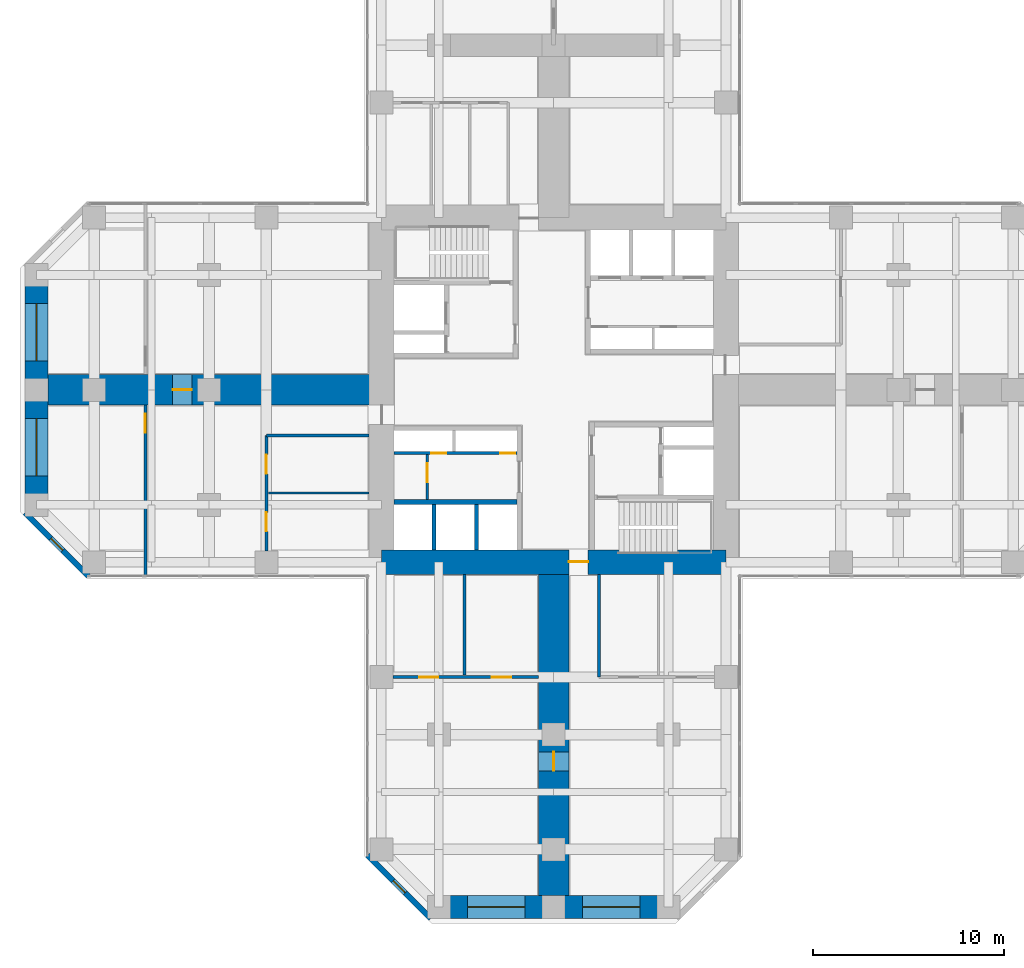
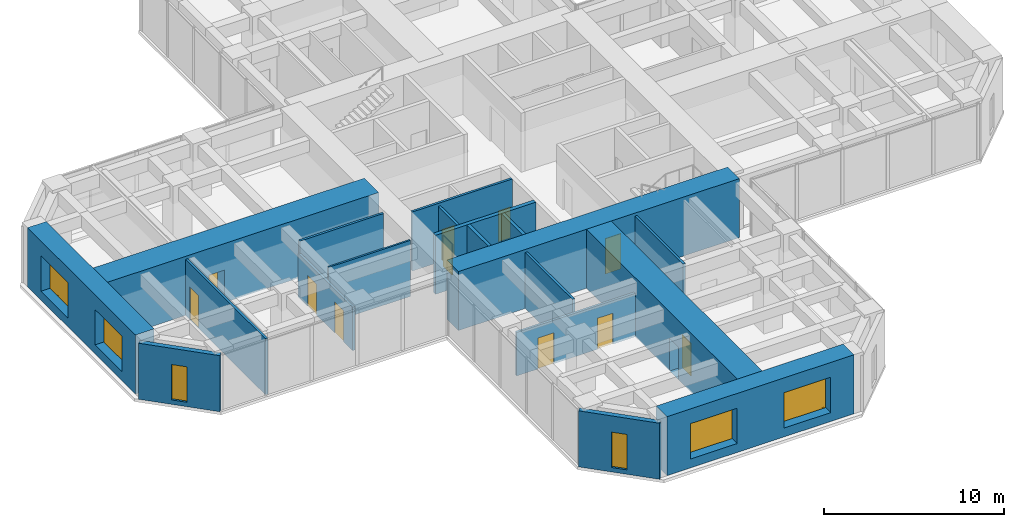
# One storey, part 8 of 12: 19 walls, 11 doors, 6 windows, 17 openings.
"""IFC4 building model written with IfcOpenShell, lengths in metres."""

import ifcopenshell
import ifcopenshell.guid

model = None  # the IFC model being written
_history = None  # IfcOwnerHistory: only IFC2X3 demands one
_inside = {}  # id of a spatial element -> (the spatial element, [elements in it])
_under = {}  # id of a project, library or spatial element -> (it, [spatial elements below it])
_declared = {}  # id of a project -> (the project, [libraries it declares])
_typed = {}  # id of a type object -> (the type object, [elements of that type])
_made_of = {}  # id of a material, layer set ... -> (it, [elements and type objects made of it])


def new_model(schema):
    """Start an empty IFC model of exactly this schema.

    Asked for "IFC4X3", IfcOpenShell would pick the latest addendum, in which some entities
    have other attributes; the version numbers below select the first issue.
    IFC2X3 requires an IfcOwnerHistory on every rooted entity: one is made here for all.
    """
    global model, _history
    if schema == "IFC4X3":
        model = ifcopenshell.file(schema_version=(4, 3, 0, 0))
    else:
        model = ifcopenshell.file(schema=schema)
    _inside.clear()
    _under.clear()
    _declared.clear()
    _typed.clear()
    _made_of.clear()
    _history = None
    if model.schema == "IFC2X3":
        org = make("IfcOrganization", Name="unknown")
        user = make(
            "IfcPersonAndOrganization",
            ThePerson=make("IfcPerson", FamilyName="unknown"),
            TheOrganization=org,
        )
        app = make(
            "IfcApplication",
            ApplicationDeveloper=org,
            Version="unknown",
            ApplicationFullName="unknown",
            ApplicationIdentifier="unknown",
        )
        _history = make(
            "IfcOwnerHistory",
            OwningUser=user,
            OwningApplication=app,
            ChangeAction="ADDED",
            CreationDate=0,
        )
    return model


def make(cls, **values):
    """One entity of the class cls with the attributes given. An attribute that is None is left unset."""
    return model.create_entity(
        cls, **{name: value for name, value in values.items() if value is not None}
    )


def rooted(cls, **values):
    """An entity with a GlobalId (a new one), such as an element, a storey or a relation."""
    return make(cls, GlobalId=ifcopenshell.guid.new(), OwnerHistory=_history, **values)


def si_unit(unit_type, name, prefix=None):
    """IfcSIUnit, for example si_unit("LENGTHUNIT", "METRE", prefix="MILLI")."""
    return make("IfcSIUnit", UnitType=unit_type, Prefix=prefix, Name=name)


def assignment(units):
    """IfcUnitAssignment: the units of a project."""
    return None if units is None else make("IfcUnitAssignment", Units=units)


def point(xyz):
    """IfcCartesianPoint."""
    return None if xyz is None else make("IfcCartesianPoint", Coordinates=xyz)


def direction(xyz):
    """IfcDirection."""
    return None if xyz is None else make("IfcDirection", DirectionRatios=xyz)


def frame(location, z_axis=None, x_axis=None):
    """IfcAxis2Placement3D, a coordinate frame: its origin and axes. An axis left out is left unset."""
    return make(
        "IfcAxis2Placement3D",
        Location=point(location),
        Axis=direction(z_axis),
        RefDirection=direction(x_axis),
    )


def frame_2d(location, x_axis=None):
    """IfcAxis2Placement2D, a coordinate frame in the plane: its origin and x axis."""
    return make(
        "IfcAxis2Placement2D", Location=point(location), RefDirection=direction(x_axis)
    )


def origin():
    """The frame at (0, 0, 0) with its axes left unset."""
    return frame((0.0, 0.0, 0.0))


def place(relative_to, where):
    """IfcLocalPlacement: puts the frame where relative to a parent placement (None: the world)."""
    return make(
        "IfcLocalPlacement", PlacementRelTo=relative_to, RelativePlacement=where
    )


def context(
    kind, dimensions, precision=None, world=None, true_north=None, identifier=None
):
    """IfcGeometricRepresentationContext, for example the 3D "Model" context."""
    return make(
        "IfcGeometricRepresentationContext",
        ContextIdentifier=identifier,
        ContextType=kind,
        CoordinateSpaceDimension=dimensions,
        Precision=precision,
        WorldCoordinateSystem=world,
        TrueNorth=true_north,
    )


def subcontext(parent, identifier, kind, view, scale=None):
    """IfcGeometricRepresentationSubContext, for example "Body" below "Model"."""
    return make(
        "IfcGeometricRepresentationSubContext",
        ContextIdentifier=identifier,
        ContextType=kind,
        ParentContext=parent,
        TargetScale=scale,
        TargetView=view,
    )


def project(units=None, contexts=None):
    """IfcProject with its units and contexts."""
    return rooted(
        "IfcProject",
        Name="project",
        RepresentationContexts=contexts,
        UnitsInContext=assignment(units),
    )


def spatial(cls, under=None, at=None, **own):
    """A site, building, storey or space (cls), placed at a placement, below another one or the project."""
    s = rooted(cls, ObjectPlacement=at, **own)
    if under is not None:
        _under.setdefault(under.id(), (under, []))[1].append(s)
    return s


def profile(cls, at=None, kind="AREA", **sizes):
    """A parametric profile (cls). Its sizes go by their IFC names, for example OverallWidth=200.0."""
    return make(cls, ProfileType=kind, Position=at, **sizes)


def rectangle(**sizes):
    """IfcRectangleProfileDef."""
    return profile("IfcRectangleProfileDef", **sizes)


def hollow_rectangle(**sizes):
    """IfcRectangleHollowProfileDef."""
    return profile("IfcRectangleHollowProfileDef", **sizes)


def extrude(swept, where, along, depth):
    """IfcExtrudedAreaSolid: the profile swept, set in the frame where, extruded along a direction by depth."""
    return make(
        "IfcExtrudedAreaSolid",
        SweptArea=swept,
        Position=where,
        ExtrudedDirection=direction(along),
        Depth=depth,
    )


def shape(context_of_items, identifier, shape_type, items):
    """IfcShapeRepresentation: the items that make up one representation, for example the "Body"."""
    return make(
        "IfcShapeRepresentation",
        ContextOfItems=context_of_items,
        RepresentationIdentifier=identifier,
        RepresentationType=shape_type,
        Items=items,
    )


def material(Name=None, Category=None):
    """IfcMaterial."""
    return make("IfcMaterial", Name=Name, Category=Category)


def layer(
    of_material, thickness, ventilated=None, Name=None, Category=None, Priority=None
):
    """IfcMaterialLayer: one layer of a wall or slab, of a material (None: an air gap)."""
    return make(
        "IfcMaterialLayer",
        Material=of_material,
        LayerThickness=thickness,
        IsVentilated=ventilated,
        Name=Name,
        Category=Category,
        Priority=Priority,
    )


def layer_set(layers, Name=None):
    """IfcMaterialLayerSet."""
    return make("IfcMaterialLayerSet", MaterialLayers=layers, LayerSetName=Name)


def constituent(of_material, Name=None, Category=None, fraction=None):
    """IfcMaterialConstituent: one of the materials an element consists of."""
    return make(
        "IfcMaterialConstituent",
        Name=Name,
        Material=of_material,
        Fraction=fraction,
        Category=Category,
    )


def constituent_set(constituents=None, Name=None):
    """IfcMaterialConstituentSet."""
    return make(
        "IfcMaterialConstituentSet", Name=Name, MaterialConstituents=constituents
    )


def made_of(thing, what):
    """Note that an element or type object is made of a material, layer set ...; save() writes the relation."""
    if what is not None:
        _made_of.setdefault(what.id(), (what, []))[1].append(thing)
    return thing


def type_object(cls, material=None, **own):
    """A type object (cls), such as IfcWallType, which elements share."""
    return made_of(rooted(cls, **own), material)


def element(
    cls,
    number,
    at=None,
    inside=None,
    cuts=None,
    type_object=None,
    material=None,
    context=None,
    identifier="Body",
    shape_type=None,
    held_by="IfcProductDefinitionShape",
    body=None,
    shapes=None,
    **own,
):
    """One element of the class cls, such as IfcWall. Its Tag is "e" and its number.

    at: its placement. inside: the storey or other place that contains it. cuts: it is an
    opening in that element (IfcRelVoidsElement). A single representation is given by context,
    identifier, shape_type and body (its items); several are given by shapes. held_by: the class
    of the entity that holds the representations. save() writes the other relations.
    """
    e = rooted(cls, Tag="e%d" % number, ObjectPlacement=at, **own)
    if body is not None:
        shapes = [shape(context, identifier, shape_type, body)]
    if shapes is not None:
        e.Representation = make(held_by, Representations=shapes)
    if inside is not None:
        _inside.setdefault(inside.id(), (inside, []))[1].append(e)
    if cuts is not None:
        rooted(
            "IfcRelVoidsElement", RelatingBuildingElement=cuts, RelatedOpeningElement=e
        )
    if type_object is not None:
        _typed.setdefault(type_object.id(), (type_object, []))[1].append(e)
    return made_of(e, material)


def fill(opening, filler):
    """IfcRelFillsElement: the door or window that sits in an opening."""
    return rooted(
        "IfcRelFillsElement",
        RelatingOpeningElement=opening,
        RelatedBuildingElement=filler,
    )


def aggregate(whole, parts):
    """IfcRelAggregates: a whole, such as a stair, and the parts it consists of."""
    return rooted("IfcRelAggregates", RelatingObject=whole, RelatedObjects=parts)


def save(model, path):
    """Write the relations noted so far, then the file.

    IfcRelAggregates (storeys below a building ...), IfcRelContainedInSpatialStructure (elements
    in a storey), IfcRelDefinesByType, IfcRelAssociatesMaterial and IfcRelDeclares: one each for
    every whole, place, type object, material and project.
    """
    for whole, parts in _under.values():
        aggregate(whole, parts)
    for where, things in _inside.values():
        rooted(
            "IfcRelContainedInSpatialStructure",
            RelatedElements=things,
            RelatingStructure=where,
        )
    for kind, things in _typed.values():
        rooted("IfcRelDefinesByType", RelatedObjects=things, RelatingType=kind)
    for what, things in _made_of.values():
        rooted("IfcRelAssociatesMaterial", RelatedObjects=things, RelatingMaterial=what)
    for by, libraries in _declared.values():
        rooted("IfcRelDeclares", RelatingContext=by, RelatedDefinitions=libraries)
    model.write(path)


model = new_model("IFC4")

# Units and contexts
model_context = context("Model", 3, precision=1e-05, world=origin(), true_north=direction((0.0, 1.0)))
body_context = subcontext(model_context, "Body", "Model", "MODEL_VIEW")
ifc_project = project(units=[si_unit("LENGTHUNIT", "METRE"), si_unit("AREAUNIT", "SQUARE_METRE"), si_unit("VOLUMEUNIT", "CUBIC_METRE"), si_unit("PLANEANGLEUNIT", "RADIAN"), si_unit("MASSUNIT", "GRAM", prefix="KILO")], contexts=[model_context])

# Site, building, storey
site_placement = place(None, origin())
site = spatial("IfcSite", under=ifc_project, at=site_placement, CompositionType="ELEMENT")
building_placement = place(site_placement, origin())
building = spatial("IfcBuilding", under=site, at=building_placement, Name="Torre Cruceta", CompositionType="ELEMENT")
storey_placement = place(building_placement, frame((0.0, 0.0, 35.5)))
storey = spatial("IfcBuildingStorey", under=building, at=storey_placement, Name="L08", CompositionType="ELEMENT", Elevation=35.5)

# Wall
ifc_material_1 = material(Name="Concrete G60 (fck 60 MPa)", Category="concrete")
ifc_layer_1 = layer(ifc_material_1, 0.25)
ifc_layer_set_1 = layer_set([ifc_layer_1], Name="Concrete G60 (fck 60 MPa)")
wall_type_1 = type_object("IfcWallType", Name="CORE INNER WALL 250 G60", PredefinedType="SHEAR", material=ifc_layer_set_1)
wall_1_placement = place(storey_placement, frame((-1.925048828125, -5.85009765625, 0.0), z_axis=(0.0, 0.0, 1.0), x_axis=(-1.0, 0.0, 0.0)))
element("IfcWall", 1, at=wall_1_placement, inside=storey, type_object=wall_type_1, Name="CW4 L08 SW-LV", PredefinedType="SHEAR", context=body_context, shape_type="SweptSolid", body=[
    extrude(rectangle(XDim=6.425048828125, YDim=0.25, at=frame_2d((3.21240234375, 0.0))), origin(), (0.0, 0.0, 1.0), 4.0),
])

# Wall, opening, door
ifc_material_2 = material(Name="Concrete G60 (fck 60 MPa)", Category="concrete")
ifc_layer_2 = layer(ifc_material_2, 1.300048828125)
ifc_layer_set_2 = layer_set([ifc_layer_2], Name="Concrete G60 (fck 60 MPa)")
wall_type_2 = type_object("IfcWallType", Name="CORE WALL 1300 G60", PredefinedType="SHEAR", material=ifc_layer_set_2)
wall_2_placement = place(storey_placement, frame((-9.0, -9.0, 0.0), z_axis=(0.0, 0.0, 1.0), x_axis=(1.0, 0.0, 0.0)))
wall_2 = element("IfcWall", 2, at=wall_2_placement, inside=storey, type_object=wall_type_2, Name="CW1 L08 CW-S", PredefinedType="SHEAR", context=body_context, shape_type="SweptSolid", body=[
    extrude(rectangle(XDim=18.0, YDim=1.300048828125, at=frame_2d((9.0, 0.0))), origin(), (0.0, 0.0, 1.0), 4.0),
])
opening_1_placement = place(wall_2_placement, frame((9.800048828125, 0.0, 0.0)))
opening_1 = element("IfcOpeningElement", 3, at=opening_1_placement, cuts=wall_2, Name="Opening D4", PredefinedType="OPENING", context=body_context, shape_type="SweptSolid", body=[
    extrude(rectangle(XDim=1.0, YDim=2.39990234375, at=frame_2d((0.5, 1.199951171875))), frame((0.0, 0.659912109375, 0.0), z_axis=(0.0, -1.0, 0.0), x_axis=(1.0, 0.0, 0.0)), (0.0, 0.0, 1.0), 1.320068359375),
])
ifc_material_3 = material(Name="Steel DX51D", Category="steel")
ifc_constituent_1 = constituent(ifc_material_3, Name="Leaf and frame")
ifc_material_4 = material(Name="Polyester powder coating", Category="paint")
ifc_constituent_2 = constituent(ifc_material_4, Name="Finish")
ifc_constituent_set_1 = constituent_set(constituents=[ifc_constituent_1, ifc_constituent_2], Name="Steel fire door")
door_type_1 = type_object("IfcDoorType", Name="CORE ARM DOOR 1000X2400", OperationType="SINGLE_SWING_RIGHT", PredefinedType="DOOR", material=ifc_constituent_set_1)
door_1_placement = place(opening_1_placement, frame((1.0, 0.0, 0.0), z_axis=(0.0, 0.0, 1.0), x_axis=(-1.0, 0.0, 0.0)))
door_1 = element("IfcDoor", 4, at=door_1_placement, inside=storey, type_object=door_type_1, Name="D4 L08 CW-S", OperationType="SINGLE_SWING_RIGHT", OverallHeight=2.39990234375, OverallWidth=1.0, PredefinedType="DOOR", context=body_context, shape_type="SweptSolid", body=[
    extrude(rectangle(XDim=1.0, YDim=2.39990234375, at=frame_2d((0.5, 1.199951171875))), frame((0.0, -0.005126953125, 0.0), z_axis=(0.0, -1.0, 0.0), x_axis=(1.0, 0.0, 0.0)), (0.0, 0.0, 1.0), 0.050048828125),
])
fill(opening_1, door_1)

# Wall, opening, window
ifc_material_5 = material(Name="Concrete G30 (fck 30 MPa)", Category="concrete")
ifc_layer_3 = layer(ifc_material_5, 0.300048828125)
ifc_layer_set_3 = layer_set([ifc_layer_3], Name="Concrete G30 (fck 30 MPa)")
wall_type_3 = type_object("IfcWallType", Name="EXPOSED CONCRETE FACADE WALL 300", PredefinedType="SOLIDWALL", material=ifc_layer_set_3)
wall_3_placement = place(storey_placement, frame((-27.60009765625, -6.418212890625, 0.0), z_axis=(0.0, 0.0, 1.0), x_axis=(0.707106781187, -0.707106781187, 0.0)))
wall_3 = element("IfcWall", 5, at=wall_3_placement, inside=storey, type_object=wall_type_3, Name="EW1 facade wall L08 W chamfer 13", PredefinedType="SOLIDWALL", context=body_context, shape_type="SweptSolid", body=[
    extrude(rectangle(XDim=4.66943359375, YDim=0.300048828125, at=frame_2d((2.334716796875, 0.0))), origin(), (0.0, 0.0, 1.0), 3.800048828125),
])
opening_2_placement = place(wall_3_placement, frame((1.884765625, 0.0, 0.300048828125)))
opening_2 = element("IfcOpeningElement", 6, at=opening_2_placement, cuts=wall_3, Name="Opening WN5", PredefinedType="OPENING", context=body_context, shape_type="SweptSolid", body=[
    extrude(rectangle(XDim=0.89990234375, YDim=2.39990234375, at=frame_2d((0.449951171875, 1.199951171875))), frame((0.0, 0.159912109375, 0.0), z_axis=(0.0, -1.0, 0.0), x_axis=(1.0, 0.0, 0.0)), (0.0, 0.0, 1.0), 0.320068359375),
])
ifc_material_6 = material(Name="Aluminium window frame", Category="aluminium")
ifc_constituent_3 = constituent(ifc_material_6, Name="Frame")
ifc_material_7 = material(Name="Laminated insulating glass unit, low-iron clear", Category="glass")
ifc_constituent_4 = constituent(ifc_material_7, Name="Glazing")
ifc_constituent_set_2 = constituent_set(constituents=[ifc_constituent_3, ifc_constituent_4], Name="Aluminium window")
window_type_1 = type_object("IfcWindowType", Name="CHAMFER SLOT WINDOW 900X2400", PartitioningType="SINGLE_PANEL", PredefinedType="WINDOW", material=ifc_constituent_set_2)
window_1_placement = place(opening_2_placement, origin())
window_1 = element("IfcWindow", 7, at=window_1_placement, inside=storey, type_object=window_type_1, Name="WN5 L08 W 1", OverallHeight=2.39990234375, OverallWidth=0.89990234375, PartitioningType="SINGLE_PANEL", PredefinedType="WINDOW", context=body_context, shape_type="SweptSolid", body=[
    extrude(hollow_rectangle(XDim=0.89990234375, YDim=2.39990234375, WallThickness=0.06005859375, at=frame_2d((0.449951171875, 1.199951171875))), frame((0.0, 0.030029296875, 0.0), z_axis=(0.0, -1.0, 0.0), x_axis=(1.0, 0.0, 0.0)), (0.0, 0.0, 1.0), 0.06005859375),
    extrude(rectangle(XDim=0.77880859375, YDim=2.27880859375, at=frame_2d((0.449951171875, 1.199951171875))), frame((0.0, 0.030029296875, 0.0), z_axis=(0.0, -1.0, 0.0), x_axis=(1.0, 0.0, 0.0)), (0.0, 0.0, 1.0), 0.06005859375),
])
fill(opening_2, window_1)

wall_4_placement = place(storey_placement, frame((-9.719970703125, -24.29833984375, 0.0), z_axis=(0.0, 0.0, 1.0), x_axis=(0.707106781187, -0.707106781187, 0.0)))
wall_4 = element("IfcWall", 8, at=wall_4_placement, inside=storey, type_object=wall_type_3, Name="EW1 facade wall L08 S chamfer 16", PredefinedType="SOLIDWALL", context=body_context, shape_type="SweptSolid", body=[
    extrude(rectangle(XDim=4.66943359375, YDim=0.300048828125, at=frame_2d((2.334716796875, 0.0))), origin(), (0.0, 0.0, 1.0), 3.800048828125),
])
opening_3_placement = place(wall_4_placement, frame((1.884765625, 0.0, 0.300048828125)))
opening_3 = element("IfcOpeningElement", 9, at=opening_3_placement, cuts=wall_4, Name="Opening WN5", PredefinedType="OPENING", context=body_context, shape_type="SweptSolid", body=[
    extrude(rectangle(XDim=0.89990234375, YDim=2.39990234375, at=frame_2d((0.449951171875, 1.199951171875))), frame((0.0, 0.159912109375, 0.0), z_axis=(0.0, -1.0, 0.0), x_axis=(1.0, 0.0, 0.0)), (0.0, 0.0, 1.0), 0.320068359375),
])
window_2_placement = place(opening_3_placement, origin())
window_2 = element("IfcWindow", 10, at=window_2_placement, inside=storey, type_object=window_type_1, Name="WN5 L08 S 1", OverallHeight=2.39990234375, OverallWidth=0.89990234375, PartitioningType="SINGLE_PANEL", PredefinedType="WINDOW", context=body_context, shape_type="SweptSolid", body=[
    extrude(hollow_rectangle(XDim=0.89990234375, YDim=2.39990234375, WallThickness=0.06005859375, at=frame_2d((0.449951171875, 1.199951171875))), frame((0.0, 0.030029296875, 0.0), z_axis=(0.0, -1.0, 0.0), x_axis=(1.0, 0.0, 0.0)), (0.0, 0.0, 1.0), 0.06005859375),
    extrude(rectangle(XDim=0.77880859375, YDim=2.27880859375, at=frame_2d((0.449951171875, 1.199951171875))), frame((0.0, 0.030029296875, 0.0), z_axis=(0.0, -1.0, 0.0), x_axis=(1.0, 0.0, 0.0)), (0.0, 0.0, 1.0), 0.06005859375),
])
fill(opening_3, window_2)

# Walls
ifc_material_8 = material(Name="Concrete G35 (fck 35 MPa)", Category="concrete")
ifc_layer_4 = layer(ifc_material_8, 0.199951171875)
ifc_layer_set_4 = layer_set([ifc_layer_4], Name="Concrete G35 (fck 35 MPa)")
wall_type_4 = type_object("IfcWallType", Name="LIFT SHAFT WALL 200", PredefinedType="PARTITIONING", material=ifc_layer_set_4)
for number, where, z_axis, x_axis, name in (
    (11, (-4.033447265625, -5.97509765625, 0.0), (0.0, 0.0, 1.0), (0.0, -1.0, 0.0), "SW1 L08 SW-LS1"),
    (12, (-6.24169921875, -5.97509765625, 0.0), (0.0, 0.0, 1.0), (0.0, -1.0, 0.0), "SW1 L08 SW-LS2"),
):
    element("IfcWall", number, at=place(storey_placement, frame(where, z_axis=z_axis, x_axis=x_axis)), inside=storey, type_object=wall_type_4, Name=name, PredefinedType="PARTITIONING", context=body_context, shape_type="SweptSolid", body=[
        extrude(rectangle(XDim=2.375, YDim=0.199951171875, at=frame_2d((1.1875, 0.0))), origin(), (0.0, 0.0, 1.0), 4.0),
    ])

# Wall, openings, windows
ifc_material_9 = material(Name="Concrete G60 (fck 60 MPa)", Category="concrete")
ifc_layer_5 = layer(ifc_material_9, 1.199951171875)
ifc_layer_set_5 = layer_set([ifc_layer_5], Name="Concrete G60 (fck 60 MPa)")
wall_type_5 = type_object("IfcWallType", Name="NOSE WALL 1200 G60", PredefinedType="SHEAR", material=ifc_layer_set_5)
wall_5_placement = place(storey_placement, frame((-6.0, -27.0, 0.0), z_axis=(0.0, 0.0, 1.0), x_axis=(1.0, 0.0, 0.0)))
wall_5 = element("IfcWall", 13, at=wall_5_placement, inside=storey, type_object=wall_type_5, Name="NW1 nose wall L08 S", PredefinedType="SHEAR", context=body_context, shape_type="SweptSolid", body=[
    extrude(rectangle(XDim=12.0, YDim=1.199951171875, at=frame_2d((6.0, 0.0))), origin(), (0.0, 0.0, 1.0), 4.0),
])
opening_4_placement = place(wall_5_placement, frame((1.5, 0.0, 0.60009765625)))
opening_4 = element("IfcOpeningElement", 14, at=opening_4_placement, cuts=wall_5, Name="Opening WN6", PredefinedType="OPENING", context=body_context, shape_type="SweptSolid", body=[
    extrude(rectangle(XDim=3.0, YDim=2.39990234375, at=frame_2d((1.5, 1.199951171875))), frame((0.0, 0.60986328125, 0.0), z_axis=(0.0, -1.0, 0.0), x_axis=(1.0, 0.0, 0.0)), (0.0, 0.0, 1.0), 1.219970703125),
])
opening_5_placement = place(wall_5_placement, frame((7.5, 0.0, 0.60009765625)))
opening_5 = element("IfcOpeningElement", 15, at=opening_5_placement, cuts=wall_5, Name="Opening WN6", PredefinedType="OPENING", context=body_context, shape_type="SweptSolid", body=[
    extrude(rectangle(XDim=3.0, YDim=2.39990234375, at=frame_2d((1.5, 1.199951171875))), frame((0.0, 0.60986328125, 0.0), z_axis=(0.0, -1.0, 0.0), x_axis=(1.0, 0.0, 0.0)), (0.0, 0.0, 1.0), 1.219970703125),
])
ifc_material_10 = material(Name="Aluminium window frame", Category="aluminium")
ifc_constituent_5 = constituent(ifc_material_10, Name="Frame")
ifc_material_11 = material(Name="Laminated insulating glass unit, low-iron clear", Category="glass")
ifc_constituent_6 = constituent(ifc_material_11, Name="Glazing")
ifc_constituent_set_3 = constituent_set(constituents=[ifc_constituent_5, ifc_constituent_6], Name="Aluminium window")
window_type_2 = type_object("IfcWindowType", Name="NOSE WALL WINDOW 3000X2400", PartitioningType="SINGLE_PANEL", PredefinedType="WINDOW", material=ifc_constituent_set_3)
window_3_placement = place(opening_4_placement, origin())
window_3 = element("IfcWindow", 16, at=window_3_placement, inside=storey, type_object=window_type_2, Name="WN6 L08 S 1", OverallHeight=2.39990234375, OverallWidth=3.0, PartitioningType="SINGLE_PANEL", PredefinedType="WINDOW", context=body_context, shape_type="SweptSolid", body=[
    extrude(hollow_rectangle(XDim=3.0, YDim=2.39990234375, WallThickness=0.06005859375, at=frame_2d((1.5, 1.199951171875))), frame((0.0, 0.030029296875, 0.0), z_axis=(0.0, -1.0, 0.0), x_axis=(1.0, 0.0, 0.0)), (0.0, 0.0, 1.0), 0.06005859375),
    extrude(rectangle(XDim=2.87890625, YDim=2.27880859375, at=frame_2d((1.5, 1.199951171875))), frame((0.0, 0.030029296875, 0.0), z_axis=(0.0, -1.0, 0.0), x_axis=(1.0, 0.0, 0.0)), (0.0, 0.0, 1.0), 0.06005859375),
])
fill(opening_4, window_3)
window_4_placement = place(opening_5_placement, origin())
window_4 = element("IfcWindow", 17, at=window_4_placement, inside=storey, type_object=window_type_2, Name="WN6 L08 S 2", OverallHeight=2.39990234375, OverallWidth=3.0, PartitioningType="SINGLE_PANEL", PredefinedType="WINDOW", context=body_context, shape_type="SweptSolid", body=[
    extrude(hollow_rectangle(XDim=3.0, YDim=2.39990234375, WallThickness=0.06005859375, at=frame_2d((1.5, 1.199951171875))), frame((0.0, 0.030029296875, 0.0), z_axis=(0.0, -1.0, 0.0), x_axis=(1.0, 0.0, 0.0)), (0.0, 0.0, 1.0), 0.06005859375),
    extrude(rectangle(XDim=2.87890625, YDim=2.27880859375, at=frame_2d((1.5, 1.199951171875))), frame((0.0, 0.030029296875, 0.0), z_axis=(0.0, -1.0, 0.0), x_axis=(1.0, 0.0, 0.0)), (0.0, 0.0, 1.0), 0.06005859375),
])
fill(opening_5, window_4)

wall_6_placement = place(storey_placement, frame((-27.0, 6.0, 0.0), z_axis=(0.0, 0.0, 1.0), x_axis=(0.0, -1.0, 0.0)))
wall_6 = element("IfcWall", 18, at=wall_6_placement, inside=storey, type_object=wall_type_5, Name="NW1 nose wall L08 W", PredefinedType="SHEAR", context=body_context, shape_type="SweptSolid", body=[
    extrude(rectangle(XDim=12.0, YDim=1.199951171875, at=frame_2d((6.0, 0.0))), origin(), (0.0, 0.0, 1.0), 4.0),
])
opening_6_placement = place(wall_6_placement, frame((1.5, 0.0, 0.60009765625)))
opening_6 = element("IfcOpeningElement", 19, at=opening_6_placement, cuts=wall_6, Name="Opening WN6", PredefinedType="OPENING", context=body_context, shape_type="SweptSolid", body=[
    extrude(rectangle(XDim=3.0, YDim=2.39990234375, at=frame_2d((1.5, 1.199951171875))), frame((0.0, 0.60986328125, 0.0), z_axis=(0.0, -1.0, 0.0), x_axis=(1.0, 0.0, 0.0)), (0.0, 0.0, 1.0), 1.219970703125),
])
opening_7_placement = place(wall_6_placement, frame((7.5, 0.0, 0.60009765625)))
opening_7 = element("IfcOpeningElement", 20, at=opening_7_placement, cuts=wall_6, Name="Opening WN6", PredefinedType="OPENING", context=body_context, shape_type="SweptSolid", body=[
    extrude(rectangle(XDim=3.0, YDim=2.39990234375, at=frame_2d((1.5, 1.199951171875))), frame((0.0, 0.60986328125, 0.0), z_axis=(0.0, -1.0, 0.0), x_axis=(1.0, 0.0, 0.0)), (0.0, 0.0, 1.0), 1.219970703125),
])
window_5_placement = place(opening_6_placement, origin())
window_5 = element("IfcWindow", 21, at=window_5_placement, inside=storey, type_object=window_type_2, Name="WN6 L08 W 1", OverallHeight=2.39990234375, OverallWidth=3.0, PartitioningType="SINGLE_PANEL", PredefinedType="WINDOW", context=body_context, shape_type="SweptSolid", body=[
    extrude(hollow_rectangle(XDim=3.0, YDim=2.39990234375, WallThickness=0.06005859375, at=frame_2d((1.5, 1.199951171875))), frame((0.0, 0.030029296875, 0.0), z_axis=(0.0, -1.0, 0.0), x_axis=(1.0, 0.0, 0.0)), (0.0, 0.0, 1.0), 0.06005859375),
    extrude(rectangle(XDim=2.87890625, YDim=2.27880859375, at=frame_2d((1.5, 1.199951171875))), frame((0.0, 0.030029296875, 0.0), z_axis=(0.0, -1.0, 0.0), x_axis=(1.0, 0.0, 0.0)), (0.0, 0.0, 1.0), 0.06005859375),
])
fill(opening_6, window_5)
window_6_placement = place(opening_7_placement, origin())
window_6 = element("IfcWindow", 22, at=window_6_placement, inside=storey, type_object=window_type_2, Name="WN6 L08 W 2", OverallHeight=2.39990234375, OverallWidth=3.0, PartitioningType="SINGLE_PANEL", PredefinedType="WINDOW", context=body_context, shape_type="SweptSolid", body=[
    extrude(hollow_rectangle(XDim=3.0, YDim=2.39990234375, WallThickness=0.06005859375, at=frame_2d((1.5, 1.199951171875))), frame((0.0, 0.030029296875, 0.0), z_axis=(0.0, -1.0, 0.0), x_axis=(1.0, 0.0, 0.0)), (0.0, 0.0, 1.0), 0.06005859375),
    extrude(rectangle(XDim=2.87890625, YDim=2.27880859375, at=frame_2d((1.5, 1.199951171875))), frame((0.0, 0.030029296875, 0.0), z_axis=(0.0, -1.0, 0.0), x_axis=(1.0, 0.0, 0.0)), (0.0, 0.0, 1.0), 0.06005859375),
])
fill(opening_7, window_6)

# Wall, opening, door
ifc_material_12 = material(Name="Plasterboard on steel studs", Category="steel")
ifc_layer_6 = layer(ifc_material_12, 0.14990234375)
ifc_layer_set_6 = layer_set([ifc_layer_6], Name="Plasterboard on steel studs")
wall_type_6 = type_object("IfcWallType", Name="PARTITION 150", PredefinedType="PARTITIONING", material=ifc_layer_set_6)
wall_7_placement = place(storey_placement, frame((-6.60009765625, -3.375, 0.0), z_axis=(0.0, 0.0, 1.0), x_axis=(0.0, -1.0, 0.0)))
wall_7 = element("IfcWall", 23, at=wall_7_placement, inside=storey, type_object=wall_type_6, Name="PT1 L08-CORE-SW-X", PredefinedType="PARTITIONING", context=body_context, shape_type="SweptSolid", body=[
    extrude(rectangle(XDim=2.35009765625, YDim=0.14990234375, at=frame_2d((1.175048828125, 0.0))), origin(), (0.0, 0.0, 1.0), 3.800048828125),
])
opening_8_placement = place(wall_7_placement, frame((0.449951171875, 0.0, 0.0)))
opening_8 = element("IfcOpeningElement", 24, at=opening_8_placement, cuts=wall_7, Name="Opening D3", PredefinedType="OPENING", context=body_context, shape_type="SweptSolid", body=[
    extrude(rectangle(XDim=1.0, YDim=2.10009765625, at=frame_2d((0.5, 1.050048828125))), frame((0.0, 0.0849609375, 0.0), z_axis=(0.0, -1.0, 0.0), x_axis=(1.0, 0.0, 0.0)), (0.0, 0.0, 1.0), 0.169921875),
])
ifc_material_13 = material(Name="Steel DX51D", Category="steel")
ifc_constituent_7 = constituent(ifc_material_13, Name="Leaf and frame")
ifc_material_14 = material(Name="Polyester powder coating", Category="paint")
ifc_constituent_8 = constituent(ifc_material_14, Name="Finish")
ifc_constituent_set_4 = constituent_set(constituents=[ifc_constituent_7, ifc_constituent_8], Name="Steel fire door")
door_type_2 = type_object("IfcDoorType", Name="FIRE DOOR 1000X2100", OperationType="SINGLE_SWING_LEFT", PredefinedType="DOOR", material=ifc_constituent_set_4)
door_2_placement = place(opening_8_placement, frame((1.0, 0.0, 0.0), z_axis=(0.0, 0.0, 1.0), x_axis=(-1.0, 0.0, 0.0)))
door_2 = element("IfcDoor", 25, at=door_2_placement, inside=storey, type_object=door_type_2, Name="D3 L08-CORE-SW-X-D1", OperationType="SINGLE_SWING_RIGHT", OverallHeight=2.10009765625, OverallWidth=1.0, PredefinedType="DOOR", context=body_context, shape_type="SweptSolid", body=[
    extrude(rectangle(XDim=1.0, YDim=2.10009765625, at=frame_2d((0.5, 1.050048828125))), frame((0.0, 0.025146484375, 0.0), z_axis=(0.0, -1.0, 0.0), x_axis=(1.0, 0.0, 0.0)), (0.0, 0.0, 1.0), 0.050048828125),
])
fill(opening_8, door_2)

# Wall
wall_8_placement = place(storey_placement, frame((2.375, -9.64990234375, 0.0), z_axis=(0.0, 0.0, 1.0), x_axis=(0.0, -1.0, 0.0)))
element("IfcWall", 26, at=wall_8_placement, inside=storey, type_object=wall_type_6, Name="PT1 L08-S-BSL", PredefinedType="PARTITIONING", context=body_context, shape_type="SweptSolid", body=[
    extrude(rectangle(XDim=5.35009765625, YDim=0.14990234375, at=frame_2d((2.675048828125, 0.0))), origin(), (0.0, 0.0, 1.0), 3.800048828125),
])

# Wall, openings, doors
wall_9_placement = place(storey_placement, frame((-8.39990234375, -15.0, 0.0), z_axis=(0.0, 0.0, 1.0), x_axis=(1.0, 0.0, 0.0)))
wall_9 = element("IfcWall", 27, at=wall_9_placement, inside=storey, type_object=wall_type_6, Name="PT1 L08-S-BFR", PredefinedType="PARTITIONING", context=body_context, shape_type="SweptSolid", body=[
    extrude(rectangle(XDim=7.599853515625, YDim=0.14990234375, at=frame_2d((3.7998046875, 0.0))), origin(), (0.0, 0.0, 1.0), 2.949951171875),
])
opening_9_placement = place(wall_9_placement, frame((1.375, 0.0, 0.0)))
opening_9 = element("IfcOpeningElement", 28, at=opening_9_placement, cuts=wall_9, Name="Opening D3", PredefinedType="OPENING", context=body_context, shape_type="SweptSolid", body=[
    extrude(rectangle(XDim=1.0, YDim=2.10009765625, at=frame_2d((0.5, 1.050048828125))), frame((0.0, 0.0849609375, 0.0), z_axis=(0.0, -1.0, 0.0), x_axis=(1.0, 0.0, 0.0)), (0.0, 0.0, 1.0), 0.169921875),
])
opening_10_placement = place(wall_9_placement, frame((5.175048828125, 0.0, 0.0)))
opening_10 = element("IfcOpeningElement", 29, at=opening_10_placement, cuts=wall_9, Name="Opening D3", PredefinedType="OPENING", context=body_context, shape_type="SweptSolid", body=[
    extrude(rectangle(XDim=1.0, YDim=2.10009765625, at=frame_2d((0.5, 1.050048828125))), frame((0.0, 0.0849609375, 0.0), z_axis=(0.0, -1.0, 0.0), x_axis=(1.0, 0.0, 0.0)), (0.0, 0.0, 1.0), 0.169921875),
])
door_3_placement = place(opening_9_placement, origin())
door_3 = element("IfcDoor", 30, at=door_3_placement, inside=storey, type_object=door_type_2, Name="D3 L08-S-BFR-D1", OperationType="SINGLE_SWING_RIGHT", OverallHeight=2.10009765625, OverallWidth=1.0, PredefinedType="DOOR", context=body_context, shape_type="SweptSolid", body=[
    extrude(rectangle(XDim=1.0, YDim=2.10009765625, at=frame_2d((0.5, 1.050048828125))), frame((0.0, 0.02490234375, 0.0), z_axis=(0.0, -1.0, 0.0), x_axis=(1.0, 0.0, 0.0)), (0.0, 0.0, 1.0), 0.050048828125),
])
fill(opening_9, door_3)
door_4_placement = place(opening_10_placement, origin())
door_4 = element("IfcDoor", 31, at=door_4_placement, inside=storey, type_object=door_type_2, Name="D3 L08-S-BFR-D2", OperationType="SINGLE_SWING_LEFT", OverallHeight=2.10009765625, OverallWidth=1.0, PredefinedType="DOOR", context=body_context, shape_type="SweptSolid", body=[
    extrude(rectangle(XDim=1.0, YDim=2.10009765625, at=frame_2d((0.5, 1.050048828125))), frame((0.0, 0.02490234375, 0.0), z_axis=(0.0, -1.0, 0.0), x_axis=(1.0, 0.0, 0.0)), (0.0, 0.0, 1.0), 0.050048828125),
])
fill(opening_10, door_4)

# Wall
wall_10_placement = place(storey_placement, frame((-4.64990234375, -9.64990234375, 0.0), z_axis=(0.0, 0.0, 1.0), x_axis=(0.0, -1.0, 0.0)))
element("IfcWall", 32, at=wall_10_placement, inside=storey, type_object=wall_type_6, Name="PT1 L08-S-BDR1", PredefinedType="PARTITIONING", context=body_context, shape_type="SweptSolid", body=[
    extrude(rectangle(XDim=5.25, YDim=0.14990234375, at=frame_2d((2.625, 0.0))), origin(), (0.0, 0.0, 1.0), 3.800048828125),
])

# Wall, openings, doors
wall_11_placement = place(storey_placement, frame((-15.0, -2.375, 0.0), z_axis=(0.0, 0.0, 1.0), x_axis=(0.0, -1.0, 0.0)))
wall_11 = element("IfcWall", 33, at=wall_11_placement, inside=storey, type_object=wall_type_6, Name="PT1 L08-W-BFL", PredefinedType="PARTITIONING", context=body_context, shape_type="SweptSolid", body=[
    extrude(rectangle(XDim=6.02490234375, YDim=0.14990234375, at=frame_2d((3.012451171875, 0.0))), origin(), (0.0, 0.0, 1.0), 2.949951171875),
])
opening_11_placement = place(wall_11_placement, frame((1.00634765625, 0.0, 0.0)))
opening_11 = element("IfcOpeningElement", 34, at=opening_11_placement, cuts=wall_11, Name="Opening D3", PredefinedType="OPENING", context=body_context, shape_type="SweptSolid", body=[
    extrude(rectangle(XDim=1.0, YDim=2.10009765625, at=frame_2d((0.5, 1.050048828125))), frame((0.0, 0.0849609375, 0.0), z_axis=(0.0, -1.0, 0.0), x_axis=(1.0, 0.0, 0.0)), (0.0, 0.0, 1.0), 0.169921875),
])
opening_12_placement = place(wall_11_placement, frame((4.018798828125, 0.0, 0.0)))
opening_12 = element("IfcOpeningElement", 35, at=opening_12_placement, cuts=wall_11, Name="Opening D3", PredefinedType="OPENING", context=body_context, shape_type="SweptSolid", body=[
    extrude(rectangle(XDim=1.0, YDim=2.10009765625, at=frame_2d((0.5, 1.050048828125))), frame((0.0, 0.0849609375, 0.0), z_axis=(0.0, -1.0, 0.0), x_axis=(1.0, 0.0, 0.0)), (0.0, 0.0, 1.0), 0.169921875),
])
door_5_placement = place(opening_11_placement, origin())
door_5 = element("IfcDoor", 36, at=door_5_placement, inside=storey, type_object=door_type_2, Name="D3 L08-W-BFL-D1", OperationType="SINGLE_SWING_LEFT", OverallHeight=2.10009765625, OverallWidth=1.0, PredefinedType="DOOR", context=body_context, shape_type="SweptSolid", body=[
    extrude(rectangle(XDim=1.0, YDim=2.10009765625, at=frame_2d((0.5, 1.050048828125))), frame((0.0, 0.02490234375, 0.0), z_axis=(0.0, -1.0, 0.0), x_axis=(1.0, 0.0, 0.0)), (0.0, 0.0, 1.0), 0.050048828125),
])
fill(opening_11, door_5)
door_6_placement = place(opening_12_placement, origin())
door_6 = element("IfcDoor", 37, at=door_6_placement, inside=storey, type_object=door_type_2, Name="D3 L08-W-BFL-D2", OperationType="SINGLE_SWING_LEFT", OverallHeight=2.10009765625, OverallWidth=1.0, PredefinedType="DOOR", context=body_context, shape_type="SweptSolid", body=[
    extrude(rectangle(XDim=1.0, YDim=2.10009765625, at=frame_2d((0.5, 1.050048828125))), frame((0.0, 0.02490234375, 0.0), z_axis=(0.0, -1.0, 0.0), x_axis=(1.0, 0.0, 0.0)), (0.0, 0.0, 1.0), 0.050048828125),
])
fill(opening_12, door_6)

# Wall
wall_12_placement = place(storey_placement, frame((-9.64990234375, -2.375, 0.0), z_axis=(0.0, 0.0, 1.0), x_axis=(-1.0, 0.0, 0.0)))
element("IfcWall", 38, at=wall_12_placement, inside=storey, type_object=wall_type_6, Name="PT1 L08-W-BSL", PredefinedType="PARTITIONING", context=body_context, shape_type="SweptSolid", body=[
    extrude(rectangle(XDim=5.35009765625, YDim=0.14990234375, at=frame_2d((2.675048828125, 0.0))), origin(), (0.0, 0.0, 1.0), 3.800048828125),
])

# Wall, opening, door
wall_13_placement = place(storey_placement, frame((-21.320068359375, -0.800048828125, 0.0), z_axis=(0.0, 0.0, 1.0), x_axis=(0.0, -1.0, 0.0)))
wall_13 = element("IfcWall", 39, at=wall_13_placement, inside=storey, type_object=wall_type_6, Name="PT1 L08-W-TWL", PredefinedType="PARTITIONING", context=body_context, shape_type="SweptSolid", body=[
    extrude(rectangle(XDim=8.8798828125, YDim=0.14990234375, at=frame_2d((4.43994140625, 0.0))), origin(), (0.0, 0.0, 1.0), 3.800048828125),
])
opening_13_placement = place(wall_13_placement, frame((0.449951171875, 0.0, 0.0)))
opening_13 = element("IfcOpeningElement", 40, at=opening_13_placement, cuts=wall_13, Name="Opening D14", PredefinedType="OPENING", context=body_context, shape_type="SweptSolid", body=[
    extrude(rectangle(XDim=1.0, YDim=2.199951171875, at=frame_2d((0.5, 1.10009765625))), frame((0.0, 0.0849609375, 0.0), z_axis=(0.0, -1.0, 0.0), x_axis=(1.0, 0.0, 0.0)), (0.0, 0.0, 1.0), 0.169921875),
])
ifc_material_15 = material(Name="Steel DX51D", Category="steel")
ifc_constituent_9 = constituent(ifc_material_15, Name="Leaf and frame")
ifc_material_16 = material(Name="Polyester powder coating", Category="paint")
ifc_constituent_10 = constituent(ifc_material_16, Name="Finish")
ifc_material_17 = material(Name="Fire-resisting glass", Category="glass")
ifc_constituent_11 = constituent(ifc_material_17, Name="Vision panel")
ifc_constituent_set_5 = constituent_set(constituents=[ifc_constituent_9, ifc_constituent_10, ifc_constituent_11], Name="Steel fire door with vision panel")
door_type_3 = type_object("IfcDoorType", Name="FIRE DOOR VISION PANEL 1000X2200", OperationType="SINGLE_SWING_RIGHT", PredefinedType="DOOR", material=ifc_constituent_set_5)
door_7_placement = place(opening_13_placement, frame((1.0, 0.0, 0.0), z_axis=(0.0, 0.0, 1.0), x_axis=(-1.0, 0.0, 0.0)))
door_7 = element("IfcDoor", 41, at=door_7_placement, inside=storey, type_object=door_type_3, Name="D14 L08-W-TWL-D1", OperationType="SINGLE_SWING_RIGHT", OverallHeight=2.199951171875, OverallWidth=1.0, PredefinedType="DOOR", context=body_context, shape_type="SweptSolid", body=[
    extrude(rectangle(XDim=1.0, YDim=2.199951171875, at=frame_2d((0.5, 1.10009765625))), frame((0.0, 0.025146484375, 0.0), z_axis=(0.0, -1.0, 0.0), x_axis=(1.0, 0.0, 0.0)), (0.0, 0.0, 1.0), 0.050048828125),
])
fill(opening_13, door_7)

# Wall, openings, doors
ifc_material_18 = material(Name="Concrete block masonry", Category="masonry")
ifc_layer_7 = layer(ifc_material_18, 0.14990234375)
ifc_layer_set_7 = layer_set([ifc_layer_7], Name="Concrete block masonry")
wall_type_7 = type_object("IfcWallType", Name="RISER WALL 150", PredefinedType="PARTITIONING", material=ifc_layer_set_7)
wall_14_placement = place(storey_placement, frame((-1.925048828125, -3.300048828125, 0.0), z_axis=(0.0, 0.0, 1.0), x_axis=(-1.0, 0.0, 0.0)))
wall_14 = element("IfcWall", 42, at=wall_14_placement, inside=storey, type_object=wall_type_7, Name="SW7 L08 SW-RV", PredefinedType="PARTITIONING", context=body_context, shape_type="SweptSolid", body=[
    extrude(rectangle(XDim=6.425048828125, YDim=0.14990234375, at=frame_2d((3.21240234375, 0.0))), origin(), (0.0, 0.0, 1.0), 4.0),
])
opening_14_placement = place(wall_14_placement, frame((0.074951171875, 0.0, 0.0)))
opening_14 = element("IfcOpeningElement", 43, at=opening_14_placement, cuts=wall_14, Name="Opening D5", PredefinedType="OPENING", context=body_context, shape_type="SweptSolid", body=[
    extrude(rectangle(XDim=0.800048828125, YDim=2.10009765625, at=frame_2d((0.39990234375, 1.050048828125))), frame((0.0, 0.0849609375, 0.0), z_axis=(0.0, -1.0, 0.0), x_axis=(1.0, 0.0, 0.0)), (0.0, 0.0, 1.0), 0.169921875),
])
opening_15_placement = place(wall_14_placement, frame((3.675048828125, 0.0, 0.0)))
opening_15 = element("IfcOpeningElement", 44, at=opening_15_placement, cuts=wall_14, Name="Opening D5", PredefinedType="OPENING", context=body_context, shape_type="SweptSolid", body=[
    extrude(rectangle(XDim=0.800048828125, YDim=2.10009765625, at=frame_2d((0.39990234375, 1.050048828125))), frame((0.0, 0.0849609375, 0.0), z_axis=(0.0, -1.0, 0.0), x_axis=(1.0, 0.0, 0.0)), (0.0, 0.0, 1.0), 0.169921875),
])
ifc_material_19 = material(Name="Steel DX51D", Category="steel")
ifc_constituent_12 = constituent(ifc_material_19, Name="Leaf and frame")
ifc_material_20 = material(Name="Polyester powder coating", Category="paint")
ifc_constituent_13 = constituent(ifc_material_20, Name="Finish")
ifc_constituent_set_6 = constituent_set(constituents=[ifc_constituent_12, ifc_constituent_13], Name="Steel fire door")
door_type_4 = type_object("IfcDoorType", Name="RISER ACCESS DOOR 800X2100", OperationType="SINGLE_SWING_LEFT", PredefinedType="DOOR", material=ifc_constituent_set_6)
door_8_placement = place(opening_14_placement, frame((0.800048828125, 0.0, 0.0), z_axis=(0.0, 0.0, 1.0), x_axis=(-1.0, 0.0, 0.0)))
door_8 = element("IfcDoor", 45, at=door_8_placement, inside=storey, type_object=door_type_4, Name="D5 L08 SW-RISER1", OperationType="SINGLE_SWING_RIGHT", OverallHeight=2.10009765625, OverallWidth=0.800048828125, PredefinedType="DOOR", context=body_context, shape_type="SweptSolid", body=[
    extrude(rectangle(XDim=0.800048828125, YDim=2.10009765625, at=frame_2d((0.400146484375, 1.050048828125))), frame((0.0, 0.025146484375, 0.0), z_axis=(0.0, -1.0, 0.0), x_axis=(1.0, 0.0, 0.0)), (0.0, 0.0, 1.0), 0.050048828125),
])
fill(opening_14, door_8)
door_9_placement = place(opening_15_placement, frame((0.800048828125, 0.0, 0.0), z_axis=(0.0, 0.0, 1.0), x_axis=(-1.0, 0.0, 0.0)))
door_9 = element("IfcDoor", 46, at=door_9_placement, inside=storey, type_object=door_type_4, Name="D5 L08 SW-RISER2", OperationType="SINGLE_SWING_RIGHT", OverallHeight=2.10009765625, OverallWidth=0.800048828125, PredefinedType="DOOR", context=body_context, shape_type="SweptSolid", body=[
    extrude(rectangle(XDim=0.800048828125, YDim=2.10009765625, at=frame_2d((0.400146484375, 1.050048828125))), frame((0.0, 0.025146484375, 0.0), z_axis=(0.0, -1.0, 0.0), x_axis=(1.0, 0.0, 0.0)), (0.0, 0.0, 1.0), 0.050048828125),
])
fill(opening_15, door_9)

# Wall, opening, door
ifc_material_21 = material(Name="Concrete G60 (fck 60 MPa)", Category="concrete")
ifc_layer_8 = layer(ifc_material_21, 1.60009765625)
ifc_layer_set_8 = layer_set([ifc_layer_8], Name="Concrete G60 (fck 60 MPa)")
wall_type_8 = type_object("IfcWallType", Name="SPINE WALL 1600 G60", PredefinedType="SHEAR", material=ifc_layer_set_8)
wall_15_placement = place(storey_placement, frame((0.0, -9.0, 0.0), z_axis=(0.0, 0.0, 1.0), x_axis=(0.0, -1.0, 0.0)))
wall_15 = element("IfcWall", 47, at=wall_15_placement, inside=storey, type_object=wall_type_8, Name="SW2 spine wall L08 S", PredefinedType="SHEAR", context=body_context, shape_type="SweptSolid", body=[
    extrude(rectangle(XDim=18.0, YDim=1.60009765625, at=frame_2d((9.0, 0.0))), origin(), (0.0, 0.0, 1.0), 4.0),
])
opening_16_placement = place(wall_15_placement, frame((9.89990234375, 0.0, 0.0)))
opening_16 = element("IfcOpeningElement", 48, at=opening_16_placement, cuts=wall_15, Name="Opening D14", PredefinedType="OPENING", context=body_context, shape_type="SweptSolid", body=[
    extrude(rectangle(XDim=1.0, YDim=2.199951171875, at=frame_2d((0.5, 1.10009765625))), frame((0.0, 0.81005859375, 0.0), z_axis=(0.0, -1.0, 0.0), x_axis=(1.0, 0.0, 0.0)), (0.0, 0.0, 1.0), 1.6201171875),
])
door_10_placement = place(opening_16_placement, frame((1.0, 0.0, 0.0), z_axis=(0.0, 0.0, 1.0), x_axis=(-1.0, 0.0, 0.0)))
door_10 = element("IfcDoor", 49, at=door_10_placement, inside=storey, type_object=door_type_3, Name="D14 L08-S-SP1", OperationType="SINGLE_SWING_RIGHT", OverallHeight=2.199951171875, OverallWidth=1.0, PredefinedType="DOOR", context=body_context, shape_type="SweptSolid", body=[
    extrude(rectangle(XDim=1.0, YDim=2.199951171875, at=frame_2d((0.5, 1.10009765625))), frame((0.0, 0.025146484375, 0.0), z_axis=(0.0, -1.0, 0.0), x_axis=(1.0, 0.0, 0.0)), (0.0, 0.0, 1.0), 0.050048828125),
])
fill(opening_16, door_10)

wall_16_placement = place(storey_placement, frame((-9.0, 0.0, 0.0), z_axis=(0.0, 0.0, 1.0), x_axis=(-1.0, 0.0, 0.0)))
wall_16 = element("IfcWall", 50, at=wall_16_placement, inside=storey, type_object=wall_type_8, Name="SW2 spine wall L08 W", PredefinedType="SHEAR", context=body_context, shape_type="SweptSolid", body=[
    extrude(rectangle(XDim=18.0, YDim=1.60009765625, at=frame_2d((9.0, 0.0))), origin(), (0.0, 0.0, 1.0), 4.0),
])
opening_17_placement = place(wall_16_placement, frame((9.89990234375, 0.0, 0.0)))
opening_17 = element("IfcOpeningElement", 51, at=opening_17_placement, cuts=wall_16, Name="Opening D14", PredefinedType="OPENING", context=body_context, shape_type="SweptSolid", body=[
    extrude(rectangle(XDim=1.0, YDim=2.199951171875, at=frame_2d((0.5, 1.10009765625))), frame((0.0, 0.81005859375, 0.0), z_axis=(0.0, -1.0, 0.0), x_axis=(1.0, 0.0, 0.0)), (0.0, 0.0, 1.0), 1.6201171875),
])
door_11_placement = place(opening_17_placement, origin())
door_11 = element("IfcDoor", 52, at=door_11_placement, inside=storey, type_object=door_type_3, Name="D14 L08-W-SP1", OperationType="SINGLE_SWING_RIGHT", OverallHeight=2.199951171875, OverallWidth=1.0, PredefinedType="DOOR", context=body_context, shape_type="SweptSolid", body=[
    extrude(rectangle(XDim=1.0, YDim=2.199951171875, at=frame_2d((0.5, 1.10009765625))), frame((0.0, 0.02490234375, 0.0), z_axis=(0.0, -1.0, 0.0), x_axis=(1.0, 0.0, 0.0)), (0.0, 0.0, 1.0), 0.050048828125),
])
fill(opening_17, door_11)

# Wall
ifc_material_22 = material(Name="Plasterboard on steel studs", Category="steel")
ifc_layer_9 = layer(ifc_material_22, 0.1201171875)
ifc_layer_set_9 = layer_set([ifc_layer_9], Name="Plasterboard on steel studs")
wall_type_9 = type_object("IfcWallType", Name="WC PARTITION 120", PredefinedType="PLUMBINGWALL", material=ifc_layer_set_9)
wall_17_placement = place(storey_placement, frame((-9.64990234375, -5.387451171875, 0.0), z_axis=(0.0, 0.0, 1.0), x_axis=(-1.0, 0.0, 0.0)))
element("IfcWall", 53, at=wall_17_placement, inside=storey, type_object=wall_type_9, Name="PT5 L08-W-BDL1", PredefinedType="PLUMBINGWALL", context=body_context, shape_type="SweptSolid", body=[
    extrude(rectangle(XDim=5.25, YDim=0.1201171875, at=frame_2d((2.625, 0.0))), origin(), (0.0, 0.0, 1.0), 3.800048828125),
])

save(model, "model.ifc")
